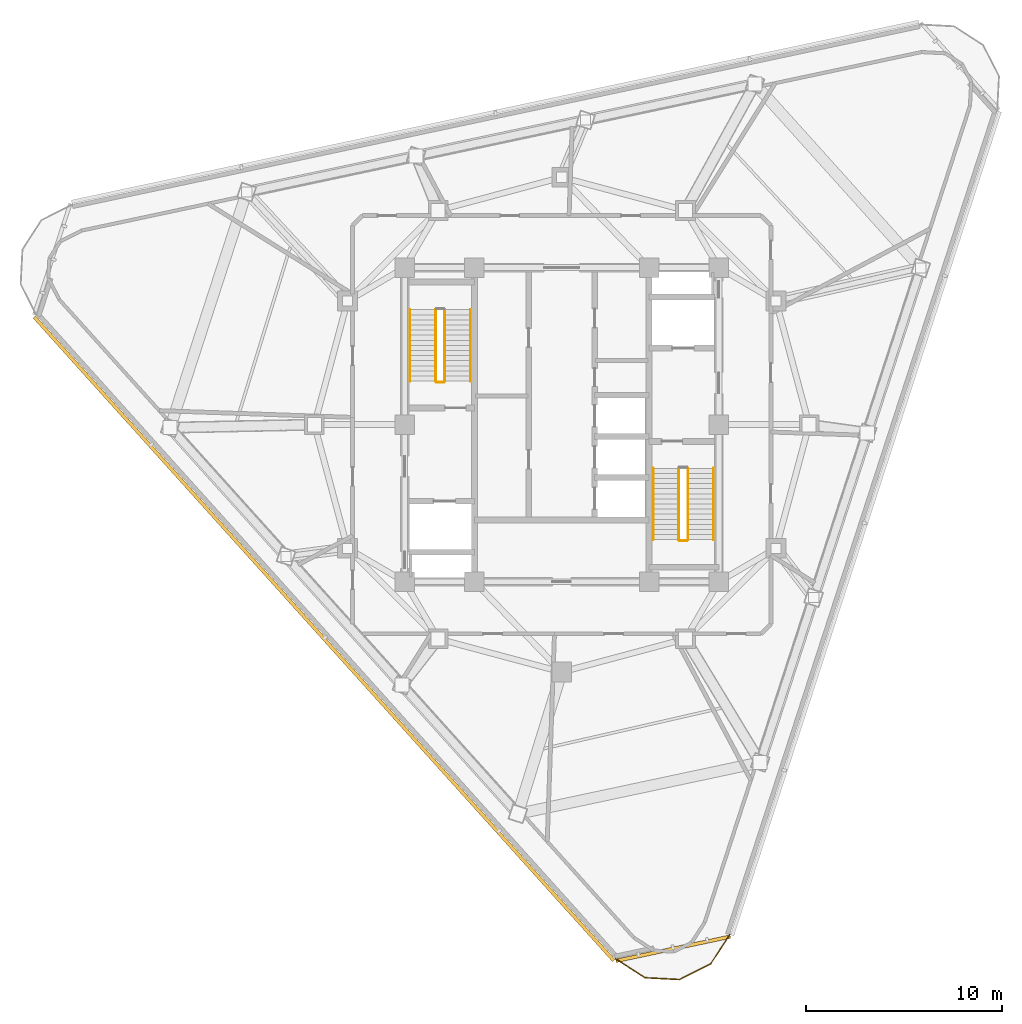
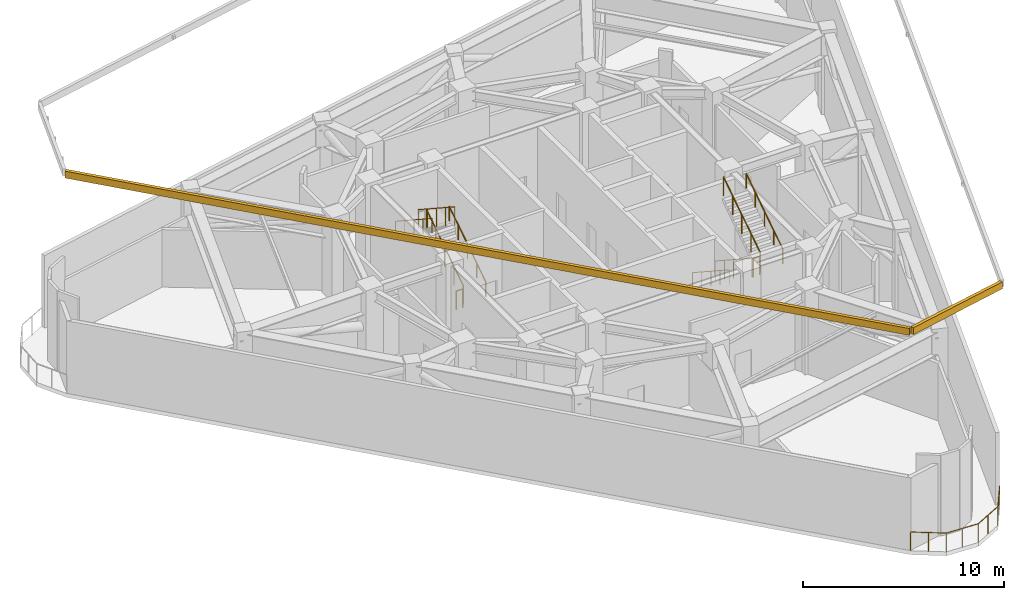
# One storey, part 8 of 10: 11 railings, 2 shading devices.
"""IFC4 building model written with IfcOpenShell, lengths in metres."""

import ifcopenshell
import ifcopenshell.guid

model = None  # the IFC model being written
_history = None  # IfcOwnerHistory: only IFC2X3 demands one
_inside = {}  # id of a spatial element -> (the spatial element, [elements in it])
_under = {}  # id of a project, library or spatial element -> (it, [spatial elements below it])
_declared = {}  # id of a project -> (the project, [libraries it declares])
_typed = {}  # id of a type object -> (the type object, [elements of that type])
_made_of = {}  # id of a material, layer set ... -> (it, [elements and type objects made of it])


def new_model(schema):
    """Start an empty IFC model of exactly this schema.

    Asked for "IFC4X3", IfcOpenShell would pick the latest addendum, in which some entities
    have other attributes; the version numbers below select the first issue.
    IFC2X3 requires an IfcOwnerHistory on every rooted entity: one is made here for all.
    """
    global model, _history
    if schema == "IFC4X3":
        model = ifcopenshell.file(schema_version=(4, 3, 0, 0))
    else:
        model = ifcopenshell.file(schema=schema)
    _inside.clear()
    _under.clear()
    _declared.clear()
    _typed.clear()
    _made_of.clear()
    _history = None
    if model.schema == "IFC2X3":
        org = make("IfcOrganization", Name="unknown")
        user = make(
            "IfcPersonAndOrganization",
            ThePerson=make("IfcPerson", FamilyName="unknown"),
            TheOrganization=org,
        )
        app = make(
            "IfcApplication",
            ApplicationDeveloper=org,
            Version="unknown",
            ApplicationFullName="unknown",
            ApplicationIdentifier="unknown",
        )
        _history = make(
            "IfcOwnerHistory",
            OwningUser=user,
            OwningApplication=app,
            ChangeAction="ADDED",
            CreationDate=0,
        )
    return model


def make(cls, **values):
    """One entity of the class cls with the attributes given. An attribute that is None is left unset."""
    return model.create_entity(
        cls, **{name: value for name, value in values.items() if value is not None}
    )


def rooted(cls, **values):
    """An entity with a GlobalId (a new one), such as an element, a storey or a relation."""
    return make(cls, GlobalId=ifcopenshell.guid.new(), OwnerHistory=_history, **values)


def si_unit(unit_type, name, prefix=None):
    """IfcSIUnit, for example si_unit("LENGTHUNIT", "METRE", prefix="MILLI")."""
    return make("IfcSIUnit", UnitType=unit_type, Prefix=prefix, Name=name)


def assignment(units):
    """IfcUnitAssignment: the units of a project."""
    return None if units is None else make("IfcUnitAssignment", Units=units)


def point(xyz):
    """IfcCartesianPoint."""
    return None if xyz is None else make("IfcCartesianPoint", Coordinates=xyz)


def direction(xyz):
    """IfcDirection."""
    return None if xyz is None else make("IfcDirection", DirectionRatios=xyz)


def frame(location, z_axis=None, x_axis=None):
    """IfcAxis2Placement3D, a coordinate frame: its origin and axes. An axis left out is left unset."""
    return make(
        "IfcAxis2Placement3D",
        Location=point(location),
        Axis=direction(z_axis),
        RefDirection=direction(x_axis),
    )


def frame_2d(location, x_axis=None):
    """IfcAxis2Placement2D, a coordinate frame in the plane: its origin and x axis."""
    return make(
        "IfcAxis2Placement2D", Location=point(location), RefDirection=direction(x_axis)
    )


def origin():
    """The frame at (0, 0, 0) with its axes left unset."""
    return frame((0.0, 0.0, 0.0))


def origin_2d():
    """The frame at (0, 0) in the plane with its x axis left unset."""
    return frame_2d((0.0, 0.0))


def place(relative_to, where):
    """IfcLocalPlacement: puts the frame where relative to a parent placement (None: the world)."""
    return make(
        "IfcLocalPlacement", PlacementRelTo=relative_to, RelativePlacement=where
    )


def context(
    kind, dimensions, precision=None, world=None, true_north=None, identifier=None
):
    """IfcGeometricRepresentationContext, for example the 3D "Model" context."""
    return make(
        "IfcGeometricRepresentationContext",
        ContextIdentifier=identifier,
        ContextType=kind,
        CoordinateSpaceDimension=dimensions,
        Precision=precision,
        WorldCoordinateSystem=world,
        TrueNorth=true_north,
    )


def subcontext(parent, identifier, kind, view, scale=None):
    """IfcGeometricRepresentationSubContext, for example "Body" below "Model"."""
    return make(
        "IfcGeometricRepresentationSubContext",
        ContextIdentifier=identifier,
        ContextType=kind,
        ParentContext=parent,
        TargetScale=scale,
        TargetView=view,
    )


def project(units=None, contexts=None):
    """IfcProject with its units and contexts."""
    return rooted(
        "IfcProject",
        Name="project",
        RepresentationContexts=contexts,
        UnitsInContext=assignment(units),
    )


def spatial(cls, under=None, at=None, **own):
    """A site, building, storey or space (cls), placed at a placement, below another one or the project."""
    s = rooted(cls, ObjectPlacement=at, **own)
    if under is not None:
        _under.setdefault(under.id(), (under, []))[1].append(s)
    return s


def profile(cls, at=None, kind="AREA", **sizes):
    """A parametric profile (cls). Its sizes go by their IFC names, for example OverallWidth=200.0."""
    return make(cls, ProfileType=kind, Position=at, **sizes)


def rectangle(**sizes):
    """IfcRectangleProfileDef."""
    return profile("IfcRectangleProfileDef", **sizes)


def circle(**sizes):
    """IfcCircleProfileDef."""
    return profile("IfcCircleProfileDef", **sizes)


def extrude(swept, where, along, depth):
    """IfcExtrudedAreaSolid: the profile swept, set in the frame where, extruded along a direction by depth."""
    return make(
        "IfcExtrudedAreaSolid",
        SweptArea=swept,
        Position=where,
        ExtrudedDirection=direction(along),
        Depth=depth,
    )


def shape(context_of_items, identifier, shape_type, items):
    """IfcShapeRepresentation: the items that make up one representation, for example the "Body"."""
    return make(
        "IfcShapeRepresentation",
        ContextOfItems=context_of_items,
        RepresentationIdentifier=identifier,
        RepresentationType=shape_type,
        Items=items,
    )


def material(Name=None, Category=None):
    """IfcMaterial."""
    return make("IfcMaterial", Name=Name, Category=Category)


def layer(
    of_material, thickness, ventilated=None, Name=None, Category=None, Priority=None
):
    """IfcMaterialLayer: one layer of a wall or slab, of a material (None: an air gap)."""
    return make(
        "IfcMaterialLayer",
        Material=of_material,
        LayerThickness=thickness,
        IsVentilated=ventilated,
        Name=Name,
        Category=Category,
        Priority=Priority,
    )


def layer_set(layers, Name=None):
    """IfcMaterialLayerSet."""
    return make("IfcMaterialLayerSet", MaterialLayers=layers, LayerSetName=Name)


def made_of(thing, what):
    """Note that an element or type object is made of a material, layer set ...; save() writes the relation."""
    if what is not None:
        _made_of.setdefault(what.id(), (what, []))[1].append(thing)
    return thing


def type_object(cls, material=None, **own):
    """A type object (cls), such as IfcWallType, which elements share."""
    return made_of(rooted(cls, **own), material)


def element(
    cls,
    number,
    at=None,
    inside=None,
    cuts=None,
    type_object=None,
    material=None,
    context=None,
    identifier="Body",
    shape_type=None,
    held_by="IfcProductDefinitionShape",
    body=None,
    shapes=None,
    **own,
):
    """One element of the class cls, such as IfcWall. Its Tag is "e" and its number.

    at: its placement. inside: the storey or other place that contains it. cuts: it is an
    opening in that element (IfcRelVoidsElement). A single representation is given by context,
    identifier, shape_type and body (its items); several are given by shapes. held_by: the class
    of the entity that holds the representations. save() writes the other relations.
    """
    e = rooted(cls, Tag="e%d" % number, ObjectPlacement=at, **own)
    if body is not None:
        shapes = [shape(context, identifier, shape_type, body)]
    if shapes is not None:
        e.Representation = make(held_by, Representations=shapes)
    if inside is not None:
        _inside.setdefault(inside.id(), (inside, []))[1].append(e)
    if cuts is not None:
        rooted(
            "IfcRelVoidsElement", RelatingBuildingElement=cuts, RelatedOpeningElement=e
        )
    if type_object is not None:
        _typed.setdefault(type_object.id(), (type_object, []))[1].append(e)
    return made_of(e, material)


def aggregate(whole, parts):
    """IfcRelAggregates: a whole, such as a stair, and the parts it consists of."""
    return rooted("IfcRelAggregates", RelatingObject=whole, RelatedObjects=parts)


def save(model, path):
    """Write the relations noted so far, then the file.

    IfcRelAggregates (storeys below a building ...), IfcRelContainedInSpatialStructure (elements
    in a storey), IfcRelDefinesByType, IfcRelAssociatesMaterial and IfcRelDeclares: one each for
    every whole, place, type object, material and project.
    """
    for whole, parts in _under.values():
        aggregate(whole, parts)
    for where, things in _inside.values():
        rooted(
            "IfcRelContainedInSpatialStructure",
            RelatedElements=things,
            RelatingStructure=where,
        )
    for kind, things in _typed.values():
        rooted("IfcRelDefinesByType", RelatedObjects=things, RelatingType=kind)
    for what, things in _made_of.values():
        rooted("IfcRelAssociatesMaterial", RelatedObjects=things, RelatingMaterial=what)
    for by, libraries in _declared.values():
        rooted("IfcRelDeclares", RelatingContext=by, RelatedDefinitions=libraries)
    model.write(path)


model = new_model("IFC4")

# Units and contexts
model_context = context("Model", 3, precision=1e-05, world=origin(), true_north=direction((0.0, 1.0)))
body_context = subcontext(model_context, "Body", "Model", "MODEL_VIEW")
ifc_project = project(units=[si_unit("LENGTHUNIT", "METRE"), si_unit("AREAUNIT", "SQUARE_METRE"), si_unit("VOLUMEUNIT", "CUBIC_METRE"), si_unit("PLANEANGLEUNIT", "RADIAN"), si_unit("MASSUNIT", "GRAM", prefix="KILO")], contexts=[model_context])

# Site, building, storey
site_placement = place(None, origin())
site = spatial("IfcSite", under=ifc_project, at=site_placement, CompositionType="ELEMENT")
building_placement = place(site_placement, origin())
building = spatial("IfcBuilding", under=site, at=building_placement, Name="Terralouvre Media Tower", CompositionType="ELEMENT")
storey_placement = place(building_placement, frame((0.0, 0.0, 278.10009765625)))
storey = spatial("IfcBuildingStorey", under=building, at=storey_placement, Name="L72", CompositionType="ELEMENT", Elevation=278.10009765625)

# Shading devices
ifc_material_1 = material(Name="Extruded terracotta baguette sunshade louvres", Category="masonry")
shading_device_type = type_object("IfcShadingDeviceType", Name="Refuge Plant Acoustic Terracotta Louvre Grill TB-LV2", PredefinedType="JALOUSIE", material=ifc_material_1)
shading_device_1_placement = place(storey_placement, frame((-12.110595703125, -10.904296875, 13.201904296875), z_axis=(0.0, 0.0, 1.0), x_axis=(0.669130573531, -0.743144855036, 0.0)))
element("IfcShadingDevice", 1, at=shading_device_1_placement, inside=storey, type_object=shading_device_type, Name="CW-L72-F2 Refuge Acoustic Terracotta Louvre", PredefinedType="JALOUSIE", context=body_context, shape_type="SweptSolid", body=[
    extrude(rectangle(XDim=44.1201171875, YDim=0.179931640625, at=origin_2d()), origin(), (0.0, 0.0, 1.0), 0.419921875),
])
shading_device_2_placement = place(storey_placement, frame((5.674560546875, -26.6962890625, 13.201904296875), z_axis=(0.0, 0.0, 1.0), x_axis=(0.978147609922, 0.207911647592, 0.0)))
element("IfcShadingDevice", 2, at=shading_device_2_placement, inside=storey, type_object=shading_device_type, Name="CW-L72-C0 Refuge Acoustic Terracotta Louvre", PredefinedType="JALOUSIE", context=body_context, shape_type="SweptSolid", body=[
    extrude(rectangle(XDim=5.958251953125, YDim=0.179931640625, at=origin_2d()), origin(), (0.0, 0.0, 1.0), 0.419921875),
])

# Railings
ifc_material_2 = material(Name="Stainless steel 316 handrail and balustrade", Category="steel")
ifc_layer_1 = layer(ifc_material_2, 0.06005859375, Name="Roof Edge Safety Guardrail GR-ROOF1")
ifc_layer_set_1 = layer_set([ifc_layer_1], Name="Stainless steel 316 handrail and balustrade")
railing_type_1 = type_object("IfcRailingType", Name="Roof Edge Safety Guardrail GR-ROOF1", PredefinedType="GUARDRAIL", material=ifc_layer_set_1)
railing_1_placement = place(storey_placement, frame((2.738037109375, -27.202880859375, 0.0)))
element("IfcRailing", 3, at=railing_1_placement, inside=storey, type_object=railing_type_1, Name="L72 Wind-Corner Perimeter Safety Guardrail C0", PredefinedType="GUARDRAIL", context=body_context, shape_type="SweptSolid", body=[
    extrude(circle(Radius=0.02099609375, at=origin_2d()), frame((0.0, 0.0, 1.12890625), z_axis=(0.838512544294, -0.544882292849, 0.0), x_axis=(0.544882292849, 0.838512544294, 0.0)), (0.0, 0.0, 1.0), 1.780029296875),
    extrude(circle(Radius=0.02099609375, at=origin_2d()), frame((1.49267578125, -0.969970703125, 1.12890625), z_axis=(0.998626153307, -0.052400438264, 0.0), x_axis=(0.052400438264, 0.998626153307, 0.0)), (0.0, 0.0, 1.0), 1.77978515625),
    extrude(circle(Radius=0.02099609375, at=origin_2d()), frame((3.27001953125, -1.063232421875, 1.12890625), z_axis=(0.890999717441, 0.454003858487, 0.0), x_axis=(-0.454003858487, 0.890999717441, 0.0)), (0.0, 0.0, 1.0), 1.780029296875),
    extrude(circle(Radius=0.02099609375, at=origin_2d()), frame((4.85595703125, -0.255126953125, 1.12890625), z_axis=(0.544371122697, 0.838844491413, 0.0), x_axis=(-0.838844491413, 0.544371122697, 0.0)), (0.0, 0.0, 1.0), 1.780029296875),
    extrude(circle(Radius=0.01904296875, at=origin_2d()), origin(), (0.0, 0.0, 1.0), 1.10791015625),
    extrude(circle(Radius=0.01904296875, at=origin_2d()), frame((0.746337890625, -0.48486328125, 0.0)), (0.0, 0.0, 1.0), 1.10791015625),
    extrude(circle(Radius=0.01904296875, at=origin_2d()), frame((1.49267578125, -0.969970703125, 0.0)), (0.0, 0.0, 1.0), 1.10791015625),
    extrude(circle(Radius=0.01904296875, at=origin_2d()), frame((2.38134765625, -1.0166015625, 0.0)), (0.0, 0.0, 1.0), 1.10791015625),
    extrude(circle(Radius=0.01904296875, at=origin_2d()), frame((3.27001953125, -1.063232421875, 0.0)), (0.0, 0.0, 1.0), 1.10791015625),
    extrude(circle(Radius=0.01904296875, at=origin_2d()), frame((4.06298828125, -0.6591796875, 0.0)), (0.0, 0.0, 1.0), 1.10791015625),
    extrude(circle(Radius=0.01904296875, at=origin_2d()), frame((4.85595703125, -0.255126953125, 0.0)), (0.0, 0.0, 1.0), 1.10791015625),
    extrude(circle(Radius=0.01904296875, at=origin_2d()), frame((5.34033203125, 0.491455078125, 0.0)), (0.0, 0.0, 1.0), 1.10791015625),
    extrude(circle(Radius=0.01904296875, at=origin_2d()), frame((5.824951171875, 1.238037109375, 0.0)), (0.0, 0.0, 1.0), 1.10791015625),
])
ifc_material_3 = material(Name="Stainless steel 316 handrail and balustrade", Category="steel")
ifc_layer_2 = layer(ifc_material_3, 0.050048828125, Name="Stair Flight Wall Handrail HR-INT1")
ifc_layer_set_2 = layer_set([ifc_layer_2], Name="Stainless steel 316 handrail and balustrade")
railing_type_2 = type_object("IfcRailingType", Name="Stair Flight Wall Handrail HR-INT1", PredefinedType="HANDRAIL", material=ifc_layer_set_2)
railing_2_placement = place(storey_placement, frame((-4.64990234375, 2.219970703125, 0.169921875)))
element("IfcRailing", 4, at=railing_2_placement, inside=storey, type_object=railing_type_2, Name="L72 ST-01 stair handrail 1", PredefinedType="HANDRAIL", context=body_context, shape_type="SweptSolid", body=[
    extrude(circle(Radius=0.02392578125, at=origin_2d()), frame((0.0, 0.0, 0.8759765625), z_axis=(0.0, 0.836991369742, 0.547216088011), x_axis=(-1.0, 0.0, 0.0)), (0.0, 0.0, 1.0), 4.34912109375),
    extrude(circle(Radius=0.02099609375, at=origin_2d()), origin(), (0.0, 0.0, 1.0), 0.851806640625),
    extrude(circle(Radius=0.02099609375, at=origin_2d()), frame((0.0, 0.91015625, 0.594970703125)), (0.0, 0.0, 1.0), 0.851806640625),
    extrude(circle(Radius=0.02099609375, at=origin_2d()), frame((0.0, 1.820068359375, 1.18994140625)), (0.0, 0.0, 1.0), 0.851806640625),
    extrude(circle(Radius=0.02099609375, at=origin_2d()), frame((0.0, 2.72998046875, 1.784912109375)), (0.0, 0.0, 1.0), 0.851806640625),
    extrude(circle(Radius=0.02099609375, at=origin_2d()), frame((0.0, 3.64013671875, 2.3798828125)), (0.0, 0.0, 1.0), 0.851806640625),
])
for number, where, name in (
    (5, (-7.72998046875, 5.860107421875, 2.719970703125), "L72 ST-01 stair handrail 2"),
    (6, (4.64990234375, -2.219970703125, 0.169921875), "L72 ST-02 stair handrail 1"),
):
    element("IfcRailing", number, at=place(storey_placement, frame(where)), inside=storey, type_object=railing_type_2, Name=name, PredefinedType="HANDRAIL", context=body_context, shape_type="SweptSolid", body=[
        extrude(circle(Radius=0.02392578125, at=origin_2d()), frame((0.0, 0.0, 0.8759765625), z_axis=(0.0, -0.836991369742, 0.547216088011), x_axis=(1.0, 0.0, 0.0)), (0.0, 0.0, 1.0), 4.34912109375),
        extrude(circle(Radius=0.02099609375, at=origin_2d()), origin(), (0.0, 0.0, 1.0), 0.851806640625),
        extrude(circle(Radius=0.02099609375, at=origin_2d()), frame((0.0, -0.91015625, 0.594970703125)), (0.0, 0.0, 1.0), 0.851806640625),
        extrude(circle(Radius=0.02099609375, at=origin_2d()), frame((0.0, -1.820068359375, 1.18994140625)), (0.0, 0.0, 1.0), 0.851806640625),
        extrude(circle(Radius=0.02099609375, at=origin_2d()), frame((0.0, -2.72998046875, 1.784912109375)), (0.0, 0.0, 1.0), 0.851806640625),
        extrude(circle(Radius=0.02099609375, at=origin_2d()), frame((0.0, -3.64013671875, 2.3798828125)), (0.0, 0.0, 1.0), 0.851806640625),
    ])
railing_3_placement = place(storey_placement, frame((7.72998046875, -5.860107421875, 2.719970703125)))
element("IfcRailing", 7, at=railing_3_placement, inside=storey, type_object=railing_type_2, Name="L72 ST-02 stair handrail 2", PredefinedType="HANDRAIL", context=body_context, shape_type="SweptSolid", body=[
    extrude(circle(Radius=0.02392578125, at=origin_2d()), frame((0.0, 0.0, 0.8759765625), z_axis=(0.0, 0.836991369742, 0.547216088011), x_axis=(-1.0, 0.0, 0.0)), (0.0, 0.0, 1.0), 4.34912109375),
    extrude(circle(Radius=0.02099609375, at=origin_2d()), origin(), (0.0, 0.0, 1.0), 0.851806640625),
    extrude(circle(Radius=0.02099609375, at=origin_2d()), frame((0.0, 0.91015625, 0.594970703125)), (0.0, 0.0, 1.0), 0.851806640625),
    extrude(circle(Radius=0.02099609375, at=origin_2d()), frame((0.0, 1.820068359375, 1.18994140625)), (0.0, 0.0, 1.0), 0.851806640625),
    extrude(circle(Radius=0.02099609375, at=origin_2d()), frame((0.0, 2.72998046875, 1.784912109375)), (0.0, 0.0, 1.0), 0.851806640625),
    extrude(circle(Radius=0.02099609375, at=origin_2d()), frame((0.0, 3.64013671875, 2.3798828125)), (0.0, 0.0, 1.0), 0.851806640625),
])
ifc_material_4 = material(Name="Stainless steel 316 handrail and balustrade", Category="steel")
ifc_layer_3 = layer(ifc_material_4, 0.050048828125, Name="Stairwell Safety Guardrail GR-INT1")
ifc_layer_set_3 = layer_set([ifc_layer_3], Name="Stainless steel 316 handrail and balustrade")
railing_type_3 = type_object("IfcRailingType", Name="Stairwell Safety Guardrail GR-INT1", PredefinedType="GUARDRAIL", material=ifc_layer_set_3)
railing_4_placement = place(storey_placement, frame((-5.949951171875, 2.219970703125, 0.169921875)))
element("IfcRailing", 8, at=railing_4_placement, inside=storey, type_object=railing_type_3, Name="L72 ST-01 stair guard 1", PredefinedType="GUARDRAIL", context=body_context, shape_type="SweptSolid", body=[
    extrude(circle(Radius=0.02392578125, at=origin_2d()), frame((0.0, 0.0, 1.1259765625), z_axis=(0.0, 0.836991369742, 0.547216088011), x_axis=(-1.0, 0.0, 0.0)), (0.0, 0.0, 1.0), 4.34912109375),
    extrude(circle(Radius=0.02099609375, at=origin_2d()), origin(), (0.0, 0.0, 1.0), 1.101806640625),
    extrude(circle(Radius=0.02099609375, at=origin_2d()), frame((0.0, 0.91015625, 0.594970703125)), (0.0, 0.0, 1.0), 1.101806640625),
    extrude(circle(Radius=0.02099609375, at=origin_2d()), frame((0.0, 1.820068359375, 1.18994140625)), (0.0, 0.0, 1.0), 1.101806640625),
    extrude(circle(Radius=0.02099609375, at=origin_2d()), frame((0.0, 2.72998046875, 1.784912109375)), (0.0, 0.0, 1.0), 1.101806640625),
    extrude(circle(Radius=0.02099609375, at=origin_2d()), frame((0.0, 3.64013671875, 2.3798828125)), (0.0, 0.0, 1.0), 1.101806640625),
])
railing_5_placement = place(storey_placement, frame((-6.429931640625, 5.860107421875, 2.719970703125)))
element("IfcRailing", 9, at=railing_5_placement, inside=storey, type_object=railing_type_3, Name="L72 ST-01 stair guard 3", PredefinedType="GUARDRAIL", context=body_context, shape_type="SweptSolid", body=[
    extrude(circle(Radius=0.02392578125, at=origin_2d()), frame((0.0, 0.0, 1.1259765625), z_axis=(0.0, -0.836991369742, 0.547216088011), x_axis=(1.0, 0.0, 0.0)), (0.0, 0.0, 1.0), 4.34912109375),
    extrude(circle(Radius=0.02099609375, at=origin_2d()), origin(), (0.0, 0.0, 1.0), 1.101806640625),
    extrude(circle(Radius=0.02099609375, at=origin_2d()), frame((0.0, -0.91015625, 0.594970703125)), (0.0, 0.0, 1.0), 1.101806640625),
    extrude(circle(Radius=0.02099609375, at=origin_2d()), frame((0.0, -1.820068359375, 1.18994140625)), (0.0, 0.0, 1.0), 1.101806640625),
    extrude(circle(Radius=0.02099609375, at=origin_2d()), frame((0.0, -2.72998046875, 1.784912109375)), (0.0, 0.0, 1.0), 1.101806640625),
    extrude(circle(Radius=0.02099609375, at=origin_2d()), frame((0.0, -3.64013671875, 2.3798828125)), (0.0, 0.0, 1.0), 1.101806640625),
])
railing_6_placement = place(storey_placement, frame((-6.0, 2.169921875, 0.0)))
element("IfcRailing", 10, at=railing_6_placement, inside=storey, type_object=railing_type_3, Name="L72 ST-01 stair guard 4", PredefinedType="GUARDRAIL", context=body_context, shape_type="SweptSolid", body=[
    extrude(circle(Radius=0.02392578125, at=origin_2d()), frame((0.0, 0.0, 1.1259765625), z_axis=(-1.0, 0.0, 0.0), x_axis=(0.0, -1.0, 0.0)), (0.0, 0.0, 1.0), 0.3798828125),
    extrude(circle(Radius=0.02099609375, at=origin_2d()), origin(), (0.0, 0.0, 1.0), 1.101806640625),
    extrude(circle(Radius=0.02099609375, at=origin_2d()), frame((-0.3798828125, 0.0, 0.0)), (0.0, 0.0, 1.0), 1.101806640625),
])
railing_7_placement = place(storey_placement, frame((5.949951171875, -2.219970703125, 0.169921875)))
element("IfcRailing", 11, at=railing_7_placement, inside=storey, type_object=railing_type_3, Name="L72 ST-02 stair guard 1", PredefinedType="GUARDRAIL", context=body_context, shape_type="SweptSolid", body=[
    extrude(circle(Radius=0.02392578125, at=origin_2d()), frame((0.0, 0.0, 1.1259765625), z_axis=(0.0, -0.836991369742, 0.547216088011), x_axis=(1.0, 0.0, 0.0)), (0.0, 0.0, 1.0), 4.34912109375),
    extrude(circle(Radius=0.02099609375, at=origin_2d()), origin(), (0.0, 0.0, 1.0), 1.101806640625),
    extrude(circle(Radius=0.02099609375, at=origin_2d()), frame((0.0, -0.91015625, 0.594970703125)), (0.0, 0.0, 1.0), 1.101806640625),
    extrude(circle(Radius=0.02099609375, at=origin_2d()), frame((0.0, -1.820068359375, 1.18994140625)), (0.0, 0.0, 1.0), 1.101806640625),
    extrude(circle(Radius=0.02099609375, at=origin_2d()), frame((0.0, -2.72998046875, 1.784912109375)), (0.0, 0.0, 1.0), 1.101806640625),
    extrude(circle(Radius=0.02099609375, at=origin_2d()), frame((0.0, -3.64013671875, 2.3798828125)), (0.0, 0.0, 1.0), 1.101806640625),
])
railing_8_placement = place(storey_placement, frame((6.0, -5.909912109375, 2.5498046875)))
element("IfcRailing", 12, at=railing_8_placement, inside=storey, type_object=railing_type_3, Name="L72 ST-02 stair guard 2", PredefinedType="GUARDRAIL", context=body_context, shape_type="SweptSolid", body=[
    extrude(circle(Radius=0.02392578125, at=origin_2d()), frame((0.0, 0.0, 1.1259765625), z_axis=(1.0, 0.0, 0.0), x_axis=(0.0, 1.0, 0.0)), (0.0, 0.0, 1.0), 0.3798828125),
    extrude(circle(Radius=0.02099609375, at=origin_2d()), origin(), (0.0, 0.0, 1.0), 1.101806640625),
    extrude(circle(Radius=0.02099609375, at=origin_2d()), frame((0.3798828125, 0.0, 0.0)), (0.0, 0.0, 1.0), 1.101806640625),
])
railing_9_placement = place(storey_placement, frame((6.429931640625, -5.860107421875, 2.719970703125)))
element("IfcRailing", 13, at=railing_9_placement, inside=storey, type_object=railing_type_3, Name="L72 ST-02 stair guard 3", PredefinedType="GUARDRAIL", context=body_context, shape_type="SweptSolid", body=[
    extrude(circle(Radius=0.02392578125, at=origin_2d()), frame((0.0, 0.0, 1.1259765625), z_axis=(0.0, 0.836991369742, 0.547216088011), x_axis=(-1.0, 0.0, 0.0)), (0.0, 0.0, 1.0), 4.34912109375),
    extrude(circle(Radius=0.02099609375, at=origin_2d()), origin(), (0.0, 0.0, 1.0), 1.101806640625),
    extrude(circle(Radius=0.02099609375, at=origin_2d()), frame((0.0, 0.91015625, 0.594970703125)), (0.0, 0.0, 1.0), 1.101806640625),
    extrude(circle(Radius=0.02099609375, at=origin_2d()), frame((0.0, 1.820068359375, 1.18994140625)), (0.0, 0.0, 1.0), 1.101806640625),
    extrude(circle(Radius=0.02099609375, at=origin_2d()), frame((0.0, 2.72998046875, 1.784912109375)), (0.0, 0.0, 1.0), 1.101806640625),
    extrude(circle(Radius=0.02099609375, at=origin_2d()), frame((0.0, 3.64013671875, 2.3798828125)), (0.0, 0.0, 1.0), 1.101806640625),
])

save(model, "model.ifc")
